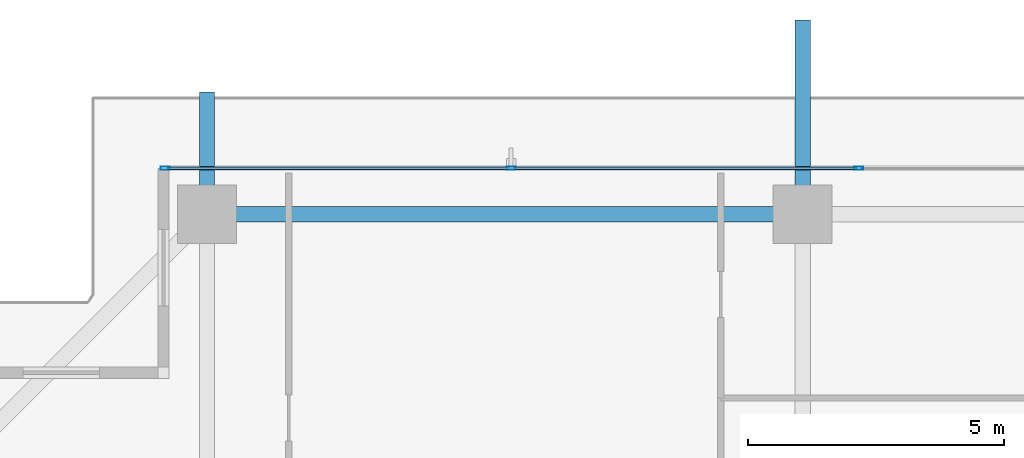
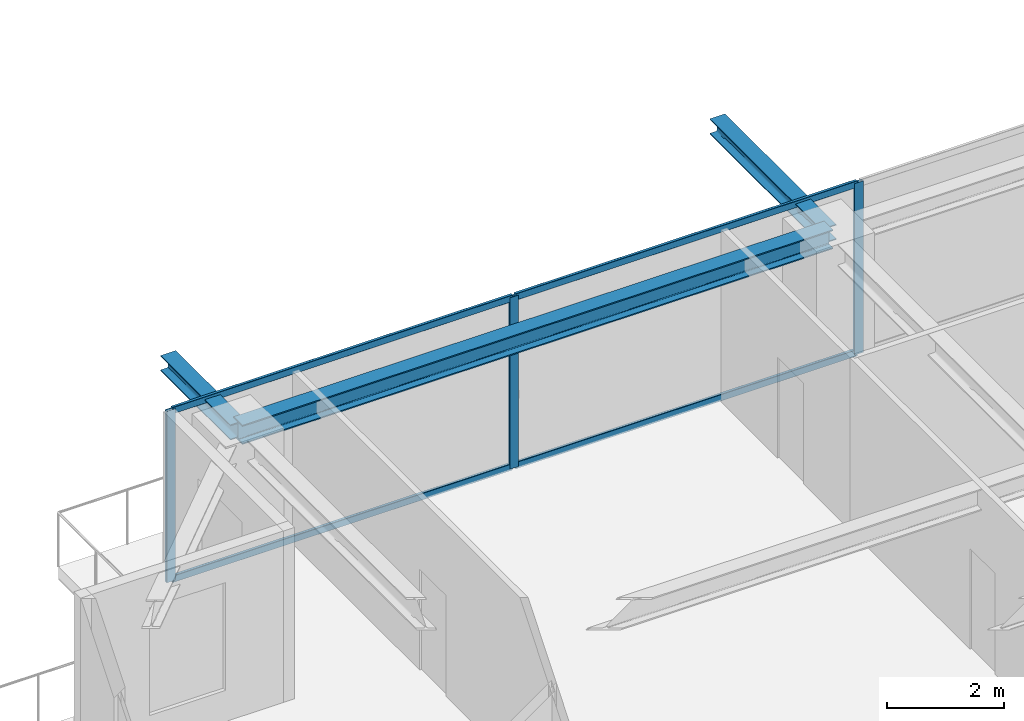
# One storey, part 20 of 37: 7 members, 3 beams, 1 element without a shape of its own.
"""IFC4 building model written with IfcOpenShell, lengths in metres."""

from ifc_helpers import new_model, si_unit, direction, frame, origin, origin_2d, place, context, subcontext, project, spatial, hollow_rectangle, i_section, extrude, source, transform, mapped, material, layer, layer_set, material_profile, profile_set, type_object, element, aggregate, save


model = new_model("IFC4")

# Units and contexts
model_context = context("Model", 3, precision=1e-05, world=origin(), true_north=direction((0.0, 1.0)))
body_context = subcontext(model_context, "Body", "Model", "MODEL_VIEW")
ifc_project = project(units=[si_unit("LENGTHUNIT", "METRE"), si_unit("AREAUNIT", "SQUARE_METRE"), si_unit("VOLUMEUNIT", "CUBIC_METRE"), si_unit("PLANEANGLEUNIT", "RADIAN"), si_unit("MASSUNIT", "GRAM", prefix="KILO")], contexts=[model_context])

# Site, building, storey
site_placement = place(None, origin())
site = spatial("IfcSite", under=ifc_project, at=site_placement, CompositionType="ELEMENT")
building_placement = place(site_placement, origin())
building = spatial("IfcBuilding", under=site, at=building_placement, Name="Serunith Strait Residences", CompositionType="ELEMENT")
storey_placement = place(building_placement, frame((0.0, 0.0, 275.89990234375)))
storey = spatial("IfcBuildingStorey", under=building, at=storey_placement, Name="L69", CompositionType="ELEMENT", Elevation=275.89990234375)

# Beams
ifc_material_1 = material(Name="Steel S355J2", Category="steel")
ifc_material_profile_1 = material_profile(ifc_material_1, i_section(OverallWidth=0.300048828125, OverallDepth=0.39990234375, WebThickness=0.013427734375, FlangeThickness=0.02392578125, FilletRadius=0.027099609375, at=origin_2d()), Name="HEB 400")
ifc_profile_set_1 = profile_set([ifc_material_profile_1], Name="Steel S355J2")
beam_type_1 = type_object("IfcBeamType", Name="BM-HEB400", PredefinedType="BEAM", material=ifc_profile_set_1)
shared_shape_1 = source(origin(), body_context, "Body", "SweptSolid", [
    extrude(i_section(OverallWidth=0.300048828125, OverallDepth=0.39990234375, WebThickness=0.013427734375, FlangeThickness=0.02392578125, FilletRadius=0.027099609375, at=origin_2d()), origin(), (0.0, 0.0, 1.0), 11.64990234375),
])
beam_1_placement = place(storey_placement, frame((27.89990234375, 48.300048828125, 3.38720703125), z_axis=(-1.0, 0.0, 0.0), x_axis=(0.0, -1.0, 0.0)))
element("IfcBeam", 1, at=beam_1_placement, inside=storey, type_object=beam_type_1, Name="L69 Perimeter Ring Beam 11", PredefinedType="BEAM", context=body_context, shape_type="MappedRepresentation", body=[
    mapped(shared_shape_1, transform((0.0, 0.0, 0.0), scale=1.0)),
])
ifc_material_profile_2 = material_profile(ifc_material_1, i_section(OverallWidth=0.300048828125, OverallDepth=0.320068359375, WebThickness=0.011474609375, FlangeThickness=0.0205078125, FilletRadius=0.027099609375, at=origin_2d()), Name="HEB 320")
ifc_profile_set_2 = profile_set([ifc_material_profile_2], Name="Steel S355J2")
beam_type_2 = type_object("IfcBeamType", Name="BM-HEB320", PredefinedType="BEAM", material=ifc_profile_set_2)
shared_shape_2 = source(origin(), body_context, "Body", "SweptSolid", [
    extrude(i_section(OverallWidth=0.300048828125, OverallDepth=0.320068359375, WebThickness=0.011474609375, FlangeThickness=0.0205078125, FilletRadius=0.027099609375, at=origin_2d()), origin(), (0.0, 0.0, 1.0), 3.800048828125),
])
beam_2_placement = place(storey_placement, frame((27.89990234375, 48.300048828125, 3.397216796875), z_axis=(0.0, 1.0, 0.0), x_axis=(-1.0, 0.0, 0.0)))
element("IfcBeam", 2, at=beam_2_placement, inside=storey, type_object=beam_type_2, Name="L70 Cantilevered Balcony Rib TC-N2", PredefinedType="BEAM", context=body_context, shape_type="MappedRepresentation", body=[
    mapped(shared_shape_2, transform((0.0, 0.0, 0.0), scale=1.0)),
])
shared_shape_3 = source(origin(), body_context, "Body", "SweptSolid", [
    extrude(i_section(OverallWidth=0.300048828125, OverallDepth=0.320068359375, WebThickness=0.011474609375, FlangeThickness=0.0205078125, FilletRadius=0.027099609375, at=origin_2d()), origin(), (0.0, 0.0, 1.0), 2.38720703125),
])
beam_3_placement = place(storey_placement, frame((16.25, 48.300048828125, 3.397216796875), z_axis=(0.0, 1.0, 0.0), x_axis=(-1.0, 0.0, 0.0)))
element("IfcBeam", 3, at=beam_3_placement, inside=storey, type_object=beam_type_2, Name="L70 Cantilevered Balcony Rib TC-N1", PredefinedType="BEAM", context=body_context, shape_type="MappedRepresentation", body=[
    mapped(shared_shape_3, transform((0.0, 0.0, 0.0), scale=1.0)),
])

# Curtain wall, members
ifc_material_2 = material(Name="Pale-Champagne Anodised Aluminium", Category="aluminium")
ifc_layer = layer(ifc_material_2, 0.199951171875, Name="Pale-Champagne Anodised Aluminium")
ifc_layer_set = layer_set([ifc_layer], Name="Pale-Champagne Anodised Aluminium")
curtain_wall_type = type_object("IfcCurtainWallType", Name="CW-SYS4", PredefinedType="NOTDEFINED", material=ifc_layer_set)
curtain_wall_placement = place(storey_placement, origin())
curtain_wall = element("IfcCurtainWall", 4, at=curtain_wall_placement, inside=storey, type_object=curtain_wall_type, Name="L69 N Unitised Fritted Curtain Wall", PredefinedType="NOTDEFINED")
ifc_material_profile_3 = material_profile(ifc_material_2, hollow_rectangle(XDim=0.06005859375, YDim=0.139892578125, WallThickness=0.00341796875, InnerFilletRadius=0.00537109375, OuterFilletRadius=0.0087890625, at=origin_2d()), Name="ALU 140x60x3.5")
ifc_profile_set_3 = profile_set([ifc_material_profile_3], Name="Pale-Champagne Anodised Aluminium")
member_type_1 = type_object("IfcMemberType", Name="CW-SYS4-TRAN", PredefinedType="USERDEFINED", material=ifc_profile_set_3)
shared_shape_4 = source(origin(), body_context, "Body", "SweptSolid", [
    extrude(hollow_rectangle(XDim=0.06005859375, YDim=0.139892578125, WallThickness=0.00341796875, InnerFilletRadius=0.00537109375, OuterFilletRadius=0.0087890625, at=origin_2d()), origin(), (0.0, 0.0, 1.0), 6.702392578125),
])
member_1_placement = place(storey_placement, frame((22.16748046875, 49.199951171875, 0.030029296875), z_axis=(-1.0, 0.0, 0.0), x_axis=(0.0, -1.0, 0.0)))
member_1 = element("IfcMember", 5, at=member_1_placement, type_object=member_type_1, Name="CW-4 transom 5.1", ObjectType="TRANSOM", PredefinedType="USERDEFINED", context=body_context, shape_type="MappedRepresentation", body=[
    mapped(shared_shape_4, transform((0.0, 0.0, 0.0), scale=1.0)),
])
member_2_placement = place(storey_placement, frame((22.16748046875, 49.199951171875, 3.545166015625), z_axis=(-1.0, 0.0, 0.0), x_axis=(0.0, -1.0, 0.0)))
member_2 = element("IfcMember", 6, at=member_2_placement, type_object=member_type_1, Name="CW-4 transom 5.2", ObjectType="TRANSOM", PredefinedType="USERDEFINED", context=body_context, shape_type="MappedRepresentation", body=[
    mapped(shared_shape_4, transform((0.0, 0.0, 0.0), scale=1.0)),
])
shared_shape_5 = source(origin(), body_context, "Body", "SweptSolid", [
    extrude(hollow_rectangle(XDim=0.06005859375, YDim=0.139892578125, WallThickness=0.00341796875, InnerFilletRadius=0.00537109375, OuterFilletRadius=0.0087890625, at=origin_2d()), origin(), (0.0, 0.0, 1.0), 6.735107421875),
])
member_3_placement = place(storey_placement, frame((28.967529296875, 49.199951171875, 0.030029296875), z_axis=(-1.0, 0.0, 0.0), x_axis=(0.0, -1.0, 0.0)))
member_3 = element("IfcMember", 7, at=member_3_placement, type_object=member_type_1, Name="CW-4 transom 4.1", ObjectType="TRANSOM", PredefinedType="USERDEFINED", context=body_context, shape_type="MappedRepresentation", body=[
    mapped(shared_shape_5, transform((0.0, 0.0, 0.0), scale=1.0)),
])
member_4_placement = place(storey_placement, frame((28.967529296875, 49.199951171875, 3.545166015625), z_axis=(-1.0, 0.0, 0.0), x_axis=(0.0, -1.0, 0.0)))
member_4 = element("IfcMember", 8, at=member_4_placement, type_object=member_type_1, Name="CW-4 transom 4.2", ObjectType="TRANSOM", PredefinedType="USERDEFINED", context=body_context, shape_type="MappedRepresentation", body=[
    mapped(shared_shape_5, transform((0.0, 0.0, 0.0), scale=1.0)),
])
ifc_material_profile_4 = material_profile(ifc_material_2, hollow_rectangle(XDim=0.06494140625, YDim=0.179931640625, WallThickness=0.00341796875, InnerFilletRadius=0.00537109375, OuterFilletRadius=0.0087890625, at=origin_2d()), Name="ALU 180x65x3.5")
ifc_profile_set_4 = profile_set([ifc_material_profile_4], Name="Pale-Champagne Anodised Aluminium")
member_type_2 = type_object("IfcMemberType", Name="CW-SYS4-MULL", PredefinedType="MULLION", material=ifc_profile_set_4)
shared_shape_6 = source(origin(), body_context, "Body", "SweptSolid", [
    extrude(hollow_rectangle(XDim=0.06494140625, YDim=0.179931640625, WallThickness=0.00341796875, InnerFilletRadius=0.00537109375, OuterFilletRadius=0.0087890625, at=origin_2d()), origin(), (0.0, 0.0, 1.0), 3.5751953125),
])
member_5_placement = place(storey_placement, frame((29.0, 49.199951171875, 0.0), z_axis=(0.0, 0.0, 1.0), x_axis=(0.0, -1.0, 0.0)))
member_5 = element("IfcMember", 9, at=member_5_placement, type_object=member_type_2, Name="CW-4 mullion 4", PredefinedType="MULLION", context=body_context, shape_type="MappedRepresentation", body=[
    mapped(shared_shape_6, transform((0.0, 0.0, 0.0), scale=1.0)),
])
member_6_placement = place(storey_placement, frame((22.199951171875, 49.199951171875, 0.0), z_axis=(0.0, 0.0, 1.0), x_axis=(0.0, -1.0, 0.0)))
member_6 = element("IfcMember", 10, at=member_6_placement, type_object=member_type_2, Name="CW-4 mullion 5", PredefinedType="MULLION", context=body_context, shape_type="MappedRepresentation", body=[
    mapped(shared_shape_6, transform((0.0, 0.0, 0.0), scale=1.0)),
])
member_7_placement = place(storey_placement, frame((15.4326171875, 49.199951171875, 0.0), z_axis=(0.0, 0.0, 1.0), x_axis=(0.0, -1.0, 0.0)))
member_7 = element("IfcMember", 11, at=member_7_placement, type_object=member_type_2, Name="CW-4 mullion 6", PredefinedType="MULLION", context=body_context, shape_type="MappedRepresentation", body=[
    mapped(shared_shape_6, transform((0.0, 0.0, 0.0), scale=1.0)),
])
aggregate(curtain_wall, [member_5, member_6, member_7, member_3, member_4, member_1, member_2])

save(model, "model.ifc")
